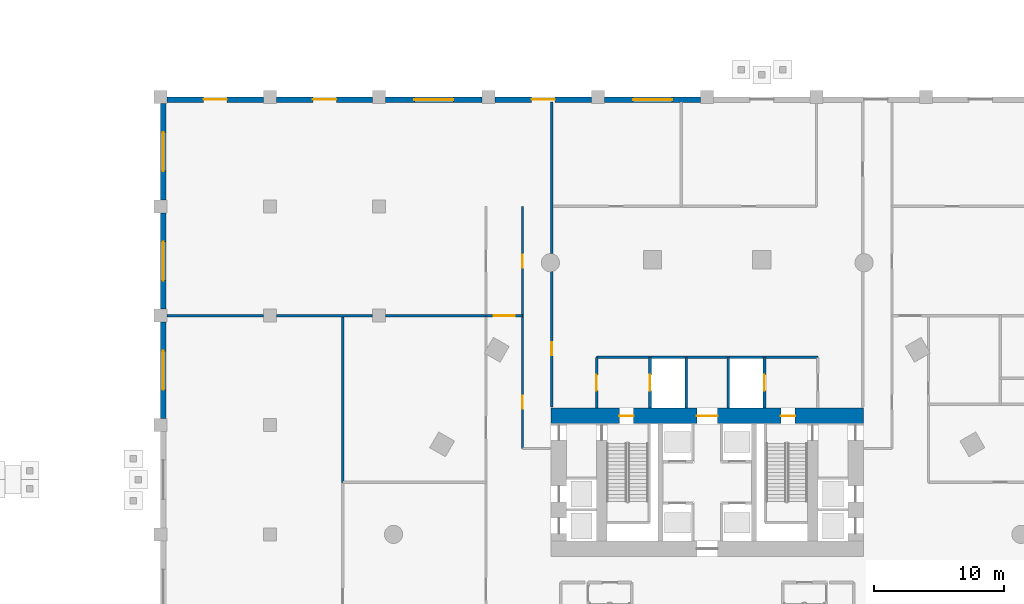
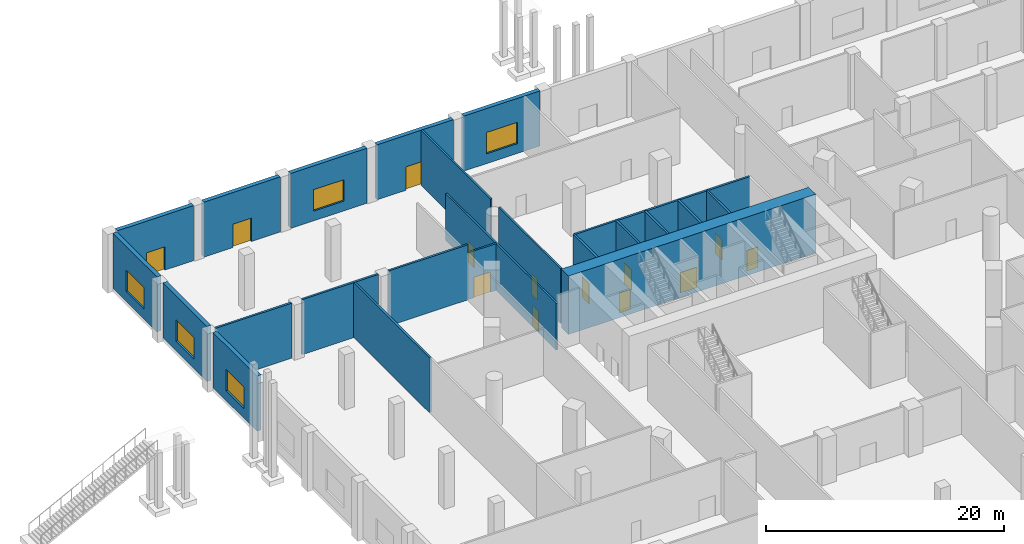
# One storey, part 16 of 25: 23 walls, 13 doors, 5 windows, 18 openings.
"""IFC4 building model written with IfcOpenShell, lengths in metres."""

from ifc_helpers import new_model, si_unit, direction, frame, frame_2d, origin, place, context, subcontext, project, spatial, rectangle, extrude, material, layer, layer_set, type_object, element, fill, save


model = new_model("IFC4")

# Units and contexts
model_context = context("Model", 3, precision=1e-05, world=origin(), true_north=direction((0.0, 1.0)))
body_context = subcontext(model_context, "Body", "Model", "MODEL_VIEW")
ifc_project = project(units=[si_unit("LENGTHUNIT", "METRE"), si_unit("AREAUNIT", "SQUARE_METRE"), si_unit("VOLUMEUNIT", "CUBIC_METRE"), si_unit("PLANEANGLEUNIT", "RADIAN"), si_unit("MASSUNIT", "GRAM", prefix="KILO")], contexts=[model_context])

# Site, building, storey
site_placement = place(None, origin())
site = spatial("IfcSite", under=ifc_project, at=site_placement, CompositionType="ELEMENT")
building_placement = place(site_placement, origin())
building = spatial("IfcBuilding", under=site, at=building_placement, Name="Ostrander Bayou Hotel Tower", CompositionType="ELEMENT")
storey_placement = place(building_placement, origin())
storey = spatial("IfcBuildingStorey", under=building, at=storey_placement, Name="L00", CompositionType="ELEMENT", Elevation=0.0)

# Wall, openings, doors
ifc_material_1 = material(Name="Concrete f'c 70 MPa", Category="concrete")
ifc_layer_1 = layer(ifc_material_1, 1.199951171875)
ifc_layer_set_1 = layer_set([ifc_layer_1], Name="CW1 core wall 1200 mm f'c 70 MPa")
wall_type_1 = type_object("IfcWallType", Name="CW1 core wall 1200 mm f'c 70 MPa", PredefinedType="SHEAR", material=ifc_layer_set_1)
wall_1_placement = place(storey_placement, frame((-12.0, 9.10009765625, -0.35009765625), z_axis=(0.0, 0.0, 1.0), x_axis=(1.0, 0.0, 0.0)))
wall_1 = element("IfcWall", 1, at=wall_1_placement, inside=storey, type_object=wall_type_1, Name="CW1 L00 N", PredefinedType="SHEAR", context=body_context, shape_type="SweptSolid", body=[
    extrude(rectangle(XDim=24.0, YDim=1.199951171875, at=frame_2d((12.0, 0.0))), origin(), (0.0, 0.0, 1.0), 6.0),
])
opening_1_placement = place(wall_1_placement, frame((11.199951171875, 0.0, 0.0)))
opening_1 = element("IfcOpeningElement", 2, at=opening_1_placement, cuts=wall_1, Name="Opening T00-006", PredefinedType="OPENING", context=body_context, shape_type="SweptSolid", body=[
    extrude(rectangle(XDim=1.60009765625, YDim=2.10009765625, at=frame_2d((0.800048828125, 1.050048828125))), frame((0.0, 0.60009765625, 0.0), z_axis=(0.0, -1.0, 0.0), x_axis=(1.0, 0.0, 0.0)), (0.0, 0.0, 1.0), 1.199951171875),
])
opening_2_placement = place(wall_1_placement, frame((5.25, 0.0, 0.0)))
opening_2 = element("IfcOpeningElement", 3, at=opening_2_placement, cuts=wall_1, Name="Opening T00-007", PredefinedType="OPENING", context=body_context, shape_type="SweptSolid", body=[
    extrude(rectangle(XDim=1.10009765625, YDim=2.10009765625, at=frame_2d((0.550048828125, 1.050048828125))), frame((0.0, 0.60009765625, 0.0), z_axis=(0.0, -1.0, 0.0), x_axis=(1.0, 0.0, 0.0)), (0.0, 0.0, 1.0), 1.199951171875),
])
opening_3_placement = place(wall_1_placement, frame((17.64990234375, 0.0, 0.0)))
opening_3 = element("IfcOpeningElement", 4, at=opening_3_placement, cuts=wall_1, Name="Opening T00-009", PredefinedType="OPENING", context=body_context, shape_type="SweptSolid", body=[
    extrude(rectangle(XDim=1.10009765625, YDim=2.10009765625, at=frame_2d((0.550048828125, 1.050048828125))), frame((0.0, 0.60009765625, 0.0), z_axis=(0.0, -1.0, 0.0), x_axis=(1.0, 0.0, 0.0)), (0.0, 0.0, 1.0), 1.199951171875),
])
ifc_material_2 = material(Name="Timber door leaf", Category="wood")
door_type_1 = type_object("IfcDoorType", Name="D13 double door 1600 x 2100 mm, 1 hour", OperationType="SINGLE_SWING_LEFT", PredefinedType="DOOR", material=ifc_material_2)
door_1_placement = place(opening_1_placement, origin())
door_1 = element("IfcDoor", 5, at=door_1_placement, inside=storey, type_object=door_type_1, Name="dr:L00:006", OperationType="DOUBLE_DOOR_SINGLE_SWING", OverallHeight=2.10009765625, OverallWidth=1.60009765625, PredefinedType="DOOR", context=body_context, shape_type="SweptSolid", body=[
    extrude(rectangle(XDim=1.60009765625, YDim=2.10009765625, at=frame_2d((0.800048828125, 1.050048828125))), frame((0.0, 0.02490234375, 0.0), z_axis=(0.0, -1.0, 0.0), x_axis=(1.0, 0.0, 0.0)), (0.0, 0.0, 1.0), 0.050048828125),
])
fill(opening_1, door_1)
ifc_material_3 = material(Name="Timber door leaf", Category="wood")
door_type_2 = type_object("IfcDoorType", Name="D5 stair door 1100 x 2100 mm, 90 minute", OperationType="SINGLE_SWING_LEFT", PredefinedType="DOOR", material=ifc_material_3)
door_2_placement = place(opening_2_placement, origin())
door_2 = element("IfcDoor", 6, at=door_2_placement, inside=storey, type_object=door_type_2, Name="dr:L00:007", OperationType="SINGLE_SWING_LEFT", OverallHeight=2.10009765625, OverallWidth=1.10009765625, PredefinedType="DOOR", context=body_context, shape_type="SweptSolid", body=[
    extrude(rectangle(XDim=1.10009765625, YDim=2.10009765625, at=frame_2d((0.550048828125, 1.050048828125))), frame((0.0, 0.02490234375, 0.0), z_axis=(0.0, -1.0, 0.0), x_axis=(1.0, 0.0, 0.0)), (0.0, 0.0, 1.0), 0.050048828125),
])
fill(opening_2, door_2)
door_3_placement = place(opening_3_placement, origin())
door_3 = element("IfcDoor", 7, at=door_3_placement, inside=storey, type_object=door_type_2, Name="dr:L00:009", OperationType="SINGLE_SWING_RIGHT", OverallHeight=2.10009765625, OverallWidth=1.10009765625, PredefinedType="DOOR", context=body_context, shape_type="SweptSolid", body=[
    extrude(rectangle(XDim=1.10009765625, YDim=2.10009765625, at=frame_2d((0.550048828125, 1.050048828125))), frame((0.0, 0.02490234375, 0.0), z_axis=(0.0, -1.0, 0.0), x_axis=(1.0, 0.0, 0.0)), (0.0, 0.0, 1.0), 0.050048828125),
])
fill(opening_3, door_3)

# Walls
ifc_material_4 = material(Name="Gypsum board partition", Category="finish")
ifc_layer_2 = layer(ifc_material_4, 0.199951171875)
ifc_layer_set_2 = layer_set([ifc_layer_2], Name="PT3 demising wall 200 mm acoustic double stud, 1 hour")
wall_type_2 = type_object("IfcWallType", Name="PT3 demising wall 200 mm acoustic double stud, 1 hour", PredefinedType="PARTITIONING", material=ifc_layer_set_2)
wall_2_placement = place(storey_placement, frame((-41.5, 16.800048828125, 0.0), z_axis=(0.0, 0.0, 1.0), x_axis=(1.0, 0.0, 0.0)))
element("IfcWall", 8, at=wall_2_placement, inside=storey, type_object=wall_type_2, Name="sw:L00:041", PredefinedType="PARTITIONING", context=body_context, shape_type="SweptSolid", body=[
    extrude(rectangle(XDim=7.39990234375, YDim=0.199951171875, at=frame_2d((3.699951171875, 0.0))), origin(), (0.0, 0.0, 1.0), 5.64990234375),
])
wall_3_placement = place(storey_placement, frame((-33.10009765625, 16.800048828125, 0.0), z_axis=(0.0, 0.0, 1.0), x_axis=(1.0, 0.0, 0.0)))
element("IfcWall", 9, at=wall_3_placement, inside=storey, type_object=wall_type_2, Name="sw:L00:042", PredefinedType="PARTITIONING", context=body_context, shape_type="SweptSolid", body=[
    extrude(rectangle(XDim=7.400146484375, YDim=0.199951171875, at=frame_2d((3.7001953125, 0.0))), origin(), (0.0, 0.0, 1.0), 5.64990234375),
])
wall_4_placement = place(storey_placement, frame((-24.699951171875, 16.800048828125, 0.0), z_axis=(0.0, 0.0, 1.0), x_axis=(1.0, 0.0, 0.0)))
element("IfcWall", 10, at=wall_4_placement, inside=storey, type_object=wall_type_2, Name="sw:L00:043", PredefinedType="PARTITIONING", context=body_context, shape_type="SweptSolid", body=[
    extrude(rectangle(XDim=7.699951171875, YDim=0.199951171875, at=frame_2d((3.85009765625, 0.0))), origin(), (0.0, 0.0, 1.0), 5.64990234375),
])
wall_5_placement = place(storey_placement, frame((-28.0, 4.0, 0.0), z_axis=(0.0, 0.0, 1.0), x_axis=(0.0, 1.0, 0.0)))
element("IfcWall", 11, at=wall_5_placement, inside=storey, type_object=wall_type_2, Name="sw:L00:045", PredefinedType="PARTITIONING", context=body_context, shape_type="SweptSolid", body=[
    extrude(rectangle(XDim=12.800048828125, YDim=0.199951171875, at=frame_2d((6.39990234375, 0.0))), origin(), (0.0, 0.0, 1.0), 5.64990234375),
])

# Wall, opening, door
ifc_material_5 = material(Name="Gypsum board partition", Category="finish")
ifc_layer_3 = layer(ifc_material_5, 0.175048828125)
ifc_layer_set_3 = layer_set([ifc_layer_3], Name="PT4 corridor wall 175 mm, 1 hour")
wall_type_3 = type_object("IfcWallType", Name="PT4 corridor wall 175 mm, 1 hour", PredefinedType="PARTITIONING", material=ifc_layer_set_3)
wall_6_placement = place(storey_placement, frame((-17.0, 16.800048828125, 0.0), z_axis=(0.0, 0.0, 1.0), x_axis=(1.0, 0.0, 0.0)))
wall_6 = element("IfcWall", 12, at=wall_6_placement, inside=storey, type_object=wall_type_3, Name="sw:L00:014", PredefinedType="PARTITIONING", context=body_context, shape_type="SweptSolid", body=[
    extrude(rectangle(XDim=2.800048828125, YDim=0.175048828125, at=frame_2d((1.39990234375, 0.0))), origin(), (0.0, 0.0, 1.0), 4.800048828125),
])
opening_4_placement = place(wall_6_placement, frame((0.60009765625, 0.0, 0.0)))
opening_4 = element("IfcOpeningElement", 13, at=opening_4_placement, cuts=wall_6, Name="Opening T00-204", PredefinedType="OPENING", context=body_context, shape_type="SweptSolid", body=[
    extrude(rectangle(XDim=1.60009765625, YDim=2.10009765625, at=frame_2d((0.800048828125, 1.050048828125))), frame((0.0, 0.08740234375, 0.0), z_axis=(0.0, -1.0, 0.0), x_axis=(1.0, 0.0, 0.0)), (0.0, 0.0, 1.0), 0.175048828125),
])
door_4_placement = place(opening_4_placement, origin())
door_4 = element("IfcDoor", 14, at=door_4_placement, inside=storey, type_object=door_type_1, Name="dr:L00:204", OperationType="DOUBLE_DOOR_SINGLE_SWING", OverallHeight=2.10009765625, OverallWidth=1.60009765625, PredefinedType="DOOR", context=body_context, shape_type="SweptSolid", body=[
    extrude(rectangle(XDim=1.60009765625, YDim=2.10009765625, at=frame_2d((0.800048828125, 1.050048828125))), frame((0.0, 0.02490234375, 0.0), z_axis=(0.0, -1.0, 0.0), x_axis=(1.0, 0.0, 0.0)), (0.0, 0.0, 1.0), 0.050048828125),
])
fill(opening_4, door_4)

# Wall, openings, doors
wall_7_placement = place(storey_placement, frame((-14.199951171875, 6.60009765625, 0.0), z_axis=(0.0, 0.0, 1.0), x_axis=(0.0, 1.0, 0.0)))
wall_7 = element("IfcWall", 15, at=wall_7_placement, inside=storey, type_object=wall_type_3, Name="sw:L00:025", PredefinedType="PARTITIONING", context=body_context, shape_type="SweptSolid", body=[
    extrude(rectangle(XDim=18.599853515625, YDim=0.175048828125, at=frame_2d((9.2998046875, 0.0))), origin(), (0.0, 0.0, 1.0), 4.800048828125),
])
opening_5_placement = place(wall_7_placement, frame((3.052490234375, 0.0, 0.0)))
opening_5 = element("IfcOpeningElement", 16, at=opening_5_placement, cuts=wall_7, Name="Opening T00-206", PredefinedType="OPENING", context=body_context, shape_type="SweptSolid", body=[
    extrude(rectangle(XDim=1.0, YDim=2.10009765625, at=frame_2d((0.5, 1.050048828125))), frame((0.0, 0.08740234375, 0.0), z_axis=(0.0, -1.0, 0.0), x_axis=(1.0, 0.0, 0.0)), (0.0, 0.0, 1.0), 0.175048828125),
])
opening_6_placement = place(wall_7_placement, frame((13.89990234375, 0.0, 0.0)))
opening_6 = element("IfcOpeningElement", 17, at=opening_6_placement, cuts=wall_7, Name="Opening T00-208", PredefinedType="OPENING", context=body_context, shape_type="SweptSolid", body=[
    extrude(rectangle(XDim=1.0, YDim=2.10009765625, at=frame_2d((0.5, 1.050048828125))), frame((0.0, 0.08740234375, 0.0), z_axis=(0.0, -1.0, 0.0), x_axis=(1.0, 0.0, 0.0)), (0.0, 0.0, 1.0), 0.175048828125),
])
ifc_material_6 = material(Name="Timber door leaf", Category="wood")
door_type_3 = type_object("IfcDoorType", Name="D4 corridor door 1000 x 2100 mm, 1 hour", OperationType="SINGLE_SWING_LEFT", PredefinedType="DOOR", material=ifc_material_6)
door_5_placement = place(opening_5_placement, origin())
door_5 = element("IfcDoor", 18, at=door_5_placement, inside=storey, type_object=door_type_3, Name="dr:L00:206", OperationType="SINGLE_SWING_RIGHT", OverallHeight=2.10009765625, OverallWidth=1.0, PredefinedType="DOOR", context=body_context, shape_type="SweptSolid", body=[
    extrude(rectangle(XDim=1.0, YDim=2.10009765625, at=frame_2d((0.5, 1.050048828125))), frame((0.0, 0.02490234375, 0.0), z_axis=(0.0, -1.0, 0.0), x_axis=(1.0, 0.0, 0.0)), (0.0, 0.0, 1.0), 0.050048828125),
])
fill(opening_5, door_5)
door_6_placement = place(opening_6_placement, origin())
door_6 = element("IfcDoor", 19, at=door_6_placement, inside=storey, type_object=door_type_3, Name="dr:L00:208", OperationType="SINGLE_SWING_RIGHT", OverallHeight=2.10009765625, OverallWidth=1.0, PredefinedType="DOOR", context=body_context, shape_type="SweptSolid", body=[
    extrude(rectangle(XDim=1.0, YDim=2.10009765625, at=frame_2d((0.5, 1.050048828125))), frame((0.0, 0.02490234375, 0.0), z_axis=(0.0, -1.0, 0.0), x_axis=(1.0, 0.0, 0.0)), (0.0, 0.0, 1.0), 0.050048828125),
])
fill(opening_6, door_6)

# Wall, opening, door
wall_8_placement = place(storey_placement, frame((-11.949951171875, 9.780029296875, 0.0), z_axis=(0.0, 0.0, 1.0), x_axis=(0.0, 1.0, 0.0)))
wall_8 = element("IfcWall", 20, at=wall_8_placement, inside=storey, type_object=wall_type_3, Name="sw:L00:026", PredefinedType="PARTITIONING", context=body_context, shape_type="SweptSolid", body=[
    extrude(rectangle(XDim=10.402099609375, YDim=0.175048828125, at=frame_2d((5.201171875, 0.0))), origin(), (0.0, 0.0, 1.0), 5.64990234375),
])
opening_7_placement = place(wall_8_placement, frame((3.97412109375, 0.0, 0.0)))
opening_7 = element("IfcOpeningElement", 21, at=opening_7_placement, cuts=wall_8, Name="Opening T00-207", PredefinedType="OPENING", context=body_context, shape_type="SweptSolid", body=[
    extrude(rectangle(XDim=1.0, YDim=2.10009765625, at=frame_2d((0.5, 1.050048828125))), frame((0.0, 0.08740234375, 0.0), z_axis=(0.0, -1.0, 0.0), x_axis=(1.0, 0.0, 0.0)), (0.0, 0.0, 1.0), 0.175048828125),
])
door_7_placement = place(opening_7_placement, origin())
door_7 = element("IfcDoor", 22, at=door_7_placement, inside=storey, type_object=door_type_3, Name="dr:L00:207", OperationType="SINGLE_SWING_LEFT", OverallHeight=2.10009765625, OverallWidth=1.0, PredefinedType="DOOR", context=body_context, shape_type="SweptSolid", body=[
    extrude(rectangle(XDim=1.0, YDim=2.10009765625, at=frame_2d((0.5, 1.050048828125))), frame((0.0, 0.02490234375, 0.0), z_axis=(0.0, -1.0, 0.0), x_axis=(1.0, 0.0, 0.0)), (0.0, 0.0, 1.0), 0.050048828125),
])
fill(opening_7, door_7)

# Walls
wall_9_placement = place(storey_placement, frame((-11.949951171875, 21.562255859375, 0.0), z_axis=(0.0, 0.0, 1.0), x_axis=(0.0, 1.0, 0.0)))
element("IfcWall", 23, at=wall_9_placement, inside=storey, type_object=wall_type_3, Name="sw:L00:027", PredefinedType="PARTITIONING", context=body_context, shape_type="SweptSolid", body=[
    extrude(rectangle(XDim=11.65771484375, YDim=0.175048828125, at=frame_2d((5.828857421875, 0.0))), origin(), (0.0, 0.0, 1.0), 5.64990234375),
])
ifc_material_7 = material(Name="Masonry block", Category="masonry")
ifc_layer_4 = layer(ifc_material_7, 0.199951171875)
ifc_layer_set_4 = layer_set([ifc_layer_4], Name="PT5 stair enclosure wall 200 mm masonry, 2 hour")
wall_type_4 = type_object("IfcWallType", Name="PT5 stair enclosure wall 200 mm masonry, 2 hour", PredefinedType="PARTITIONING", material=ifc_layer_set_4)
wall_10_placement = place(storey_placement, frame((-8.5, 13.60009765625, 0.0), z_axis=(0.0, 0.0, 1.0), x_axis=(1.0, 0.0, 0.0)))
element("IfcWall", 24, at=wall_10_placement, inside=storey, type_object=wall_type_4, Name="cs:L00:021", PredefinedType="PARTITIONING", context=body_context, shape_type="SweptSolid", body=[
    extrude(rectangle(XDim=17.0, YDim=0.199951171875, at=frame_2d((8.5, 0.0))), origin(), (0.0, 0.0, 1.0), 5.64990234375),
])

# Wall, opening, door
wall_11_placement = place(storey_placement, frame((-8.5, 9.699951171875, 0.0), z_axis=(0.0, 0.0, 1.0), x_axis=(0.0, 1.0, 0.0)))
wall_11 = element("IfcWall", 25, at=wall_11_placement, inside=storey, type_object=wall_type_4, Name="cs:L00:022", PredefinedType="PARTITIONING", context=body_context, shape_type="SweptSolid", body=[
    extrude(rectangle(XDim=3.900146484375, YDim=0.199951171875, at=frame_2d((1.9501953125, 0.0))), origin(), (0.0, 0.0, 1.0), 5.64990234375),
])
opening_8_placement = place(wall_11_placement, frame((1.35009765625, 0.0, 0.0)))
opening_8 = element("IfcOpeningElement", 26, at=opening_8_placement, cuts=wall_11, Name="Opening T00-014", PredefinedType="OPENING", context=body_context, shape_type="SweptSolid", body=[
    extrude(rectangle(XDim=1.199951171875, YDim=2.10009765625, at=frame_2d((0.60009765625, 1.050048828125))), frame((0.0, 0.10009765625, 0.0), z_axis=(0.0, -1.0, 0.0), x_axis=(1.0, 0.0, 0.0)), (0.0, 0.0, 1.0), 0.199951171875),
])
ifc_material_8 = material(Name="Timber door leaf", Category="wood")
door_type_4 = type_object("IfcDoorType", Name="D7 lobby door 1200 x 2100 mm, 1 hour", OperationType="SINGLE_SWING_LEFT", PredefinedType="DOOR", material=ifc_material_8)
door_8_placement = place(opening_8_placement, origin())
door_8 = element("IfcDoor", 27, at=door_8_placement, inside=storey, type_object=door_type_4, Name="dr:L00:014", OperationType="SINGLE_SWING_LEFT", OverallHeight=2.10009765625, OverallWidth=1.199951171875, PredefinedType="DOOR", context=body_context, shape_type="SweptSolid", body=[
    extrude(rectangle(XDim=1.199951171875, YDim=2.10009765625, at=frame_2d((0.60009765625, 1.050048828125))), frame((0.0, 0.02490234375, 0.0), z_axis=(0.0, -1.0, 0.0), x_axis=(1.0, 0.0, 0.0)), (0.0, 0.0, 1.0), 0.050048828125),
])
fill(opening_8, door_8)

wall_12_placement = place(storey_placement, frame((-4.39990234375, 9.699951171875, 0.0), z_axis=(0.0, 0.0, 1.0), x_axis=(0.0, 1.0, 0.0)))
wall_12 = element("IfcWall", 28, at=wall_12_placement, inside=storey, type_object=wall_type_4, Name="cs:L00:024", PredefinedType="PARTITIONING", context=body_context, shape_type="SweptSolid", body=[
    extrude(rectangle(XDim=3.900146484375, YDim=0.199951171875, at=frame_2d((1.9501953125, 0.0))), origin(), (0.0, 0.0, 1.0), 5.64990234375),
])
opening_9_placement = place(wall_12_placement, frame((1.35009765625, 0.0, 0.0)))
opening_9 = element("IfcOpeningElement", 29, at=opening_9_placement, cuts=wall_12, Name="Opening T00-013", PredefinedType="OPENING", context=body_context, shape_type="SweptSolid", body=[
    extrude(rectangle(XDim=1.199951171875, YDim=2.10009765625, at=frame_2d((0.60009765625, 1.050048828125))), frame((0.0, 0.10009765625, 0.0), z_axis=(0.0, -1.0, 0.0), x_axis=(1.0, 0.0, 0.0)), (0.0, 0.0, 1.0), 0.199951171875),
])
ifc_material_9 = material(Name="Stainless steel sliding door", Category="steel")
door_type_5 = type_object("IfcDoorType", Name="LD1 lift landing door 1200 x 2100 mm", OperationType="SINGLE_SWING_LEFT", PredefinedType="DOOR", material=ifc_material_9)
door_9_placement = place(opening_9_placement, origin())
door_9 = element("IfcDoor", 30, at=door_9_placement, inside=storey, type_object=door_type_5, Name="dr:L00:013", OperationType="SLIDING_TO_LEFT", OverallHeight=2.10009765625, OverallWidth=1.199951171875, PredefinedType="DOOR", context=body_context, shape_type="SweptSolid", body=[
    extrude(rectangle(XDim=1.199951171875, YDim=2.10009765625, at=frame_2d((0.60009765625, 1.050048828125))), frame((0.0, 0.02490234375, 0.0), z_axis=(0.0, -1.0, 0.0), x_axis=(1.0, 0.0, 0.0)), (0.0, 0.0, 1.0), 0.050048828125),
])
fill(opening_9, door_9)

wall_13_placement = place(storey_placement, frame((4.39990234375, 9.699951171875, 0.0), z_axis=(0.0, 0.0, 1.0), x_axis=(0.0, 1.0, 0.0)))
wall_13 = element("IfcWall", 31, at=wall_13_placement, inside=storey, type_object=wall_type_4, Name="cs:L00:025", PredefinedType="PARTITIONING", context=body_context, shape_type="SweptSolid", body=[
    extrude(rectangle(XDim=3.900146484375, YDim=0.199951171875, at=frame_2d((1.9501953125, 0.0))), origin(), (0.0, 0.0, 1.0), 5.64990234375),
])
opening_10_placement = place(wall_13_placement, frame((1.35009765625, 0.0, 0.0)))
opening_10 = element("IfcOpeningElement", 32, at=opening_10_placement, cuts=wall_13, Name="Opening T00-015", PredefinedType="OPENING", context=body_context, shape_type="SweptSolid", body=[
    extrude(rectangle(XDim=1.199951171875, YDim=2.10009765625, at=frame_2d((0.60009765625, 1.050048828125))), frame((0.0, 0.10009765625, 0.0), z_axis=(0.0, -1.0, 0.0), x_axis=(1.0, 0.0, 0.0)), (0.0, 0.0, 1.0), 0.199951171875),
])
door_10_placement = place(opening_10_placement, origin())
door_10 = element("IfcDoor", 33, at=door_10_placement, inside=storey, type_object=door_type_5, Name="dr:L00:015", OperationType="SLIDING_TO_LEFT", OverallHeight=2.10009765625, OverallWidth=1.199951171875, PredefinedType="DOOR", context=body_context, shape_type="SweptSolid", body=[
    extrude(rectangle(XDim=1.199951171875, YDim=2.10009765625, at=frame_2d((0.60009765625, 1.050048828125))), frame((0.0, 0.02490234375, 0.0), z_axis=(0.0, -1.0, 0.0), x_axis=(1.0, 0.0, 0.0)), (0.0, 0.0, 1.0), 0.050048828125),
])
fill(opening_10, door_10)

# Walls
ifc_material_10 = material(Name="Masonry block", Category="masonry")
ifc_layer_5 = layer(ifc_material_10, 0.199951171875)
ifc_layer_set_5 = layer_set([ifc_layer_5], Name="PT6 lift shaft wall 200 mm masonry, 2 hour")
wall_type_5 = type_object("IfcWallType", Name="PT6 lift shaft wall 200 mm masonry, 2 hour", PredefinedType="PARTITIONING", material=ifc_layer_set_5)
for number, where, z_axis, x_axis, name in (
    (34, (-1.60009765625, 9.699951171875, 0.0), (0.0, 0.0, 1.0), (0.0, 1.0, 0.0), "cs:L00:026"),
    (35, (1.60009765625, 9.699951171875, 0.0), (0.0, 0.0, 1.0), (0.0, 1.0, 0.0), "cs:L00:027"),
):
    element("IfcWall", number, at=place(storey_placement, frame(where, z_axis=z_axis, x_axis=x_axis)), inside=storey, type_object=wall_type_5, Name=name, PredefinedType="PARTITIONING", context=body_context, shape_type="SweptSolid", body=[
        extrude(rectangle(XDim=3.900146484375, YDim=0.199951171875, at=frame_2d((1.9501953125, 0.0))), origin(), (0.0, 0.0, 1.0), 5.64990234375),
    ])

# Wall, opening, door
ifc_material_11 = material(Name="Reconstituted stone on masonry backing", Category="masonry")
ifc_layer_6 = layer(ifc_material_11, 0.39990234375)
ifc_layer_set_6 = layer_set([ifc_layer_6], Name="PW1 stone cladding wall 400 mm")
wall_type_6 = type_object("IfcWallType", Name="PW1 stone cladding wall 400 mm", PredefinedType="SOLIDWALL", material=ifc_layer_set_6)
wall_14_placement = place(storey_placement, frame((-41.5, 33.39990234375, 0.0), z_axis=(0.0, 0.0, 1.0), x_axis=(1.0, 0.0, 0.0)))
wall_14 = element("IfcWall", 36, at=wall_14_placement, inside=storey, type_object=wall_type_6, Name="pw:L00:19", PredefinedType="SOLIDWALL", context=body_context, shape_type="SweptSolid", body=[
    extrude(rectangle(XDim=7.39990234375, YDim=0.39990234375, at=frame_2d((3.699951171875, 0.0))), origin(), (0.0, 0.0, 1.0), 5.64990234375),
])
opening_11_placement = place(wall_14_placement, frame((2.800048828125, 0.0, 0.0)))
opening_11 = element("IfcOpeningElement", 37, at=opening_11_placement, cuts=wall_14, Name="Opening SD1", PredefinedType="OPENING", context=body_context, shape_type="SweptSolid", body=[
    extrude(rectangle(XDim=1.800048828125, YDim=2.39990234375, at=frame_2d((0.89990234375, 1.199951171875))), frame((0.0, 0.199951171875, 0.0), z_axis=(0.0, -1.0, 0.0), x_axis=(1.0, 0.0, 0.0)), (0.0, 0.0, 1.0), 0.39990234375),
])
ifc_material_12 = material(Name="Insulated steel", Category="steel")
door_type_6 = type_object("IfcDoorType", Name="SV1 service door 1800 mm", OperationType="DOUBLE_DOOR_SINGLE_SWING", PredefinedType="DOOR", material=ifc_material_12)
door_11_placement = place(opening_11_placement, origin())
door_11 = element("IfcDoor", 38, at=door_11_placement, inside=storey, type_object=door_type_6, Name="SV1 SD1", OperationType="SINGLE_SWING_LEFT", OverallHeight=2.39990234375, OverallWidth=1.800048828125, PredefinedType="DOOR", context=body_context, shape_type="SweptSolid", body=[
    extrude(rectangle(XDim=1.800048828125, YDim=2.39990234375, at=frame_2d((0.89990234375, 1.199951171875))), frame((0.0, 0.02490234375, 0.0), z_axis=(0.0, -1.0, 0.0), x_axis=(1.0, 0.0, 0.0)), (0.0, 0.0, 1.0), 0.050048828125),
])
fill(opening_11, door_11)

wall_15_placement = place(storey_placement, frame((-33.10009765625, 33.39990234375, 0.0), z_axis=(0.0, 0.0, 1.0), x_axis=(1.0, 0.0, 0.0)))
wall_15 = element("IfcWall", 39, at=wall_15_placement, inside=storey, type_object=wall_type_6, Name="pw:L00:20", PredefinedType="SOLIDWALL", context=body_context, shape_type="SweptSolid", body=[
    extrude(rectangle(XDim=7.400146484375, YDim=0.39990234375, at=frame_2d((3.7001953125, 0.0))), origin(), (0.0, 0.0, 1.0), 5.64990234375),
])
opening_12_placement = place(wall_15_placement, frame((2.800048828125, 0.0, 0.0)))
opening_12 = element("IfcOpeningElement", 40, at=opening_12_placement, cuts=wall_15, Name="Opening E11", PredefinedType="OPENING", context=body_context, shape_type="SweptSolid", body=[
    extrude(rectangle(XDim=1.800048828125, YDim=2.39990234375, at=frame_2d((0.89990234375, 1.199951171875))), frame((0.0, 0.199951171875, 0.0), z_axis=(0.0, -1.0, 0.0), x_axis=(1.0, 0.0, 0.0)), (0.0, 0.0, 1.0), 0.39990234375),
])
ifc_material_13 = material(Name="Aluminium and clear glass", Category="aluminium")
door_type_7 = type_object("IfcDoorType", Name="ED1 entrance door 1800 mm", OperationType="DOUBLE_DOOR_SINGLE_SWING", PredefinedType="DOOR", material=ifc_material_13)
door_12_placement = place(opening_12_placement, origin())
door_12 = element("IfcDoor", 41, at=door_12_placement, inside=storey, type_object=door_type_7, Name="ED1 E11", OperationType="SINGLE_SWING_LEFT", OverallHeight=2.39990234375, OverallWidth=1.800048828125, PredefinedType="DOOR", context=body_context, shape_type="SweptSolid", body=[
    extrude(rectangle(XDim=1.800048828125, YDim=2.39990234375, at=frame_2d((0.89990234375, 1.199951171875))), frame((0.0, 0.02490234375, 0.0), z_axis=(0.0, -1.0, 0.0), x_axis=(1.0, 0.0, 0.0)), (0.0, 0.0, 1.0), 0.050048828125),
])
fill(opening_12, door_12)

# Wall, opening, window
wall_16_placement = place(storey_placement, frame((-24.699951171875, 33.39990234375, 0.0), z_axis=(0.0, 0.0, 1.0), x_axis=(1.0, 0.0, 0.0)))
wall_16 = element("IfcWall", 42, at=wall_16_placement, inside=storey, type_object=wall_type_6, Name="pw:L00:21", PredefinedType="SOLIDWALL", context=body_context, shape_type="SweptSolid", body=[
    extrude(rectangle(XDim=7.39990234375, YDim=0.39990234375, at=frame_2d((3.699951171875, 0.0))), origin(), (0.0, 0.0, 1.0), 5.64990234375),
])
opening_13_placement = place(wall_16_placement, frame((2.199951171875, 0.0, 1.0)))
opening_13 = element("IfcOpeningElement", 43, at=opening_13_placement, cuts=wall_16, Name="Opening W6", PredefinedType="OPENING", context=body_context, shape_type="SweptSolid", body=[
    extrude(rectangle(XDim=3.0, YDim=2.199951171875, at=frame_2d((1.5, 1.10009765625))), frame((0.0, 0.199951171875, 0.0), z_axis=(0.0, -1.0, 0.0), x_axis=(1.0, 0.0, 0.0)), (0.0, 0.0, 1.0), 0.39990234375),
])
ifc_material_14 = material(Name="Aluminium and clear glass", Category="aluminium")
window_type = type_object("IfcWindowType", Name="W6 podium window 3000 mm", PartitioningType="SINGLE_PANEL", PredefinedType="WINDOW", material=ifc_material_14)
window_1_placement = place(opening_13_placement, origin())
window_1 = element("IfcWindow", 44, at=window_1_placement, inside=storey, type_object=window_type, Name="W6 L00 21", OverallHeight=2.199951171875, OverallWidth=3.0, PartitioningType="SINGLE_PANEL", PredefinedType="WINDOW", context=body_context, shape_type="SweptSolid", body=[
    extrude(rectangle(XDim=3.0, YDim=2.199951171875, at=frame_2d((1.5, 1.10009765625))), frame((0.0, 0.030029296875, 0.0), z_axis=(0.0, -1.0, 0.0), x_axis=(1.0, 0.0, 0.0)), (0.0, 0.0, 1.0), 0.06005859375),
])
fill(opening_13, window_1)

# Wall, opening, door
wall_17_placement = place(storey_placement, frame((-16.300048828125, 33.39990234375, 0.0), z_axis=(0.0, 0.0, 1.0), x_axis=(1.0, 0.0, 0.0)))
wall_17 = element("IfcWall", 45, at=wall_17_placement, inside=storey, type_object=wall_type_6, Name="pw:L00:22", PredefinedType="SOLIDWALL", context=body_context, shape_type="SweptSolid", body=[
    extrude(rectangle(XDim=7.400146484375, YDim=0.39990234375, at=frame_2d((3.7001953125, 0.0))), origin(), (0.0, 0.0, 1.0), 5.64990234375),
])
opening_14_placement = place(wall_17_placement, frame((2.800048828125, 0.0, 0.0)))
opening_14 = element("IfcOpeningElement", 46, at=opening_14_placement, cuts=wall_17, Name="Opening E12", PredefinedType="OPENING", context=body_context, shape_type="SweptSolid", body=[
    extrude(rectangle(XDim=1.800048828125, YDim=2.39990234375, at=frame_2d((0.89990234375, 1.199951171875))), frame((0.0, 0.199951171875, 0.0), z_axis=(0.0, -1.0, 0.0), x_axis=(1.0, 0.0, 0.0)), (0.0, 0.0, 1.0), 0.39990234375),
])
door_13_placement = place(opening_14_placement, origin())
door_13 = element("IfcDoor", 47, at=door_13_placement, inside=storey, type_object=door_type_7, Name="ED1 E12", OperationType="SINGLE_SWING_LEFT", OverallHeight=2.39990234375, OverallWidth=1.800048828125, PredefinedType="DOOR", context=body_context, shape_type="SweptSolid", body=[
    extrude(rectangle(XDim=1.800048828125, YDim=2.39990234375, at=frame_2d((0.89990234375, 1.199951171875))), frame((0.0, 0.02490234375, 0.0), z_axis=(0.0, -1.0, 0.0), x_axis=(1.0, 0.0, 0.0)), (0.0, 0.0, 1.0), 0.050048828125),
])
fill(opening_14, door_13)

# Wall, opening, window
wall_18_placement = place(storey_placement, frame((-7.89990234375, 33.39990234375, 0.0), z_axis=(0.0, 0.0, 1.0), x_axis=(1.0, 0.0, 0.0)))
wall_18 = element("IfcWall", 48, at=wall_18_placement, inside=storey, type_object=wall_type_6, Name="pw:L00:23", PredefinedType="SOLIDWALL", context=body_context, shape_type="SweptSolid", body=[
    extrude(rectangle(XDim=7.39990234375, YDim=0.39990234375, at=frame_2d((3.699951171875, 0.0))), origin(), (0.0, 0.0, 1.0), 5.64990234375),
])
opening_15_placement = place(wall_18_placement, frame((2.199951171875, 0.0, 1.0)))
opening_15 = element("IfcOpeningElement", 49, at=opening_15_placement, cuts=wall_18, Name="Opening W6", PredefinedType="OPENING", context=body_context, shape_type="SweptSolid", body=[
    extrude(rectangle(XDim=3.0, YDim=2.199951171875, at=frame_2d((1.5, 1.10009765625))), frame((0.0, 0.199951171875, 0.0), z_axis=(0.0, -1.0, 0.0), x_axis=(1.0, 0.0, 0.0)), (0.0, 0.0, 1.0), 0.39990234375),
])
window_2_placement = place(opening_15_placement, origin())
window_2 = element("IfcWindow", 50, at=window_2_placement, inside=storey, type_object=window_type, Name="W6 L00 23", OverallHeight=2.199951171875, OverallWidth=3.0, PartitioningType="SINGLE_PANEL", PredefinedType="WINDOW", context=body_context, shape_type="SweptSolid", body=[
    extrude(rectangle(XDim=3.0, YDim=2.199951171875, at=frame_2d((1.5, 1.10009765625))), frame((0.0, 0.030029296875, 0.0), z_axis=(0.0, -1.0, 0.0), x_axis=(1.0, 0.0, 0.0)), (0.0, 0.0, 1.0), 0.06005859375),
])
fill(opening_15, window_2)

wall_19_placement = place(storey_placement, frame((-41.800048828125, 8.89990234375, 0.0), z_axis=(0.0, 0.0, 1.0), x_axis=(0.0, 1.0, 0.0)))
wall_19 = element("IfcWall", 51, at=wall_19_placement, inside=storey, type_object=wall_type_6, Name="pw:L00:36", PredefinedType="SOLIDWALL", context=body_context, shape_type="SweptSolid", body=[
    extrude(rectangle(XDim=7.400146484375, YDim=0.39990234375, at=frame_2d((3.7001953125, 0.0))), origin(), (0.0, 0.0, 1.0), 5.64990234375),
])
opening_16_placement = place(wall_19_placement, frame((2.199951171875, 0.0, 1.0)))
opening_16 = element("IfcOpeningElement", 52, at=opening_16_placement, cuts=wall_19, Name="Opening W6", PredefinedType="OPENING", context=body_context, shape_type="SweptSolid", body=[
    extrude(rectangle(XDim=3.0, YDim=2.199951171875, at=frame_2d((1.5, 1.10009765625))), frame((0.0, 0.199951171875, 0.0), z_axis=(0.0, -1.0, 0.0), x_axis=(1.0, 0.0, 0.0)), (0.0, 0.0, 1.0), 0.39990234375),
])
window_3_placement = place(opening_16_placement, origin())
window_3 = element("IfcWindow", 53, at=window_3_placement, inside=storey, type_object=window_type, Name="W6 L00 36", OverallHeight=2.199951171875, OverallWidth=3.0, PartitioningType="SINGLE_PANEL", PredefinedType="WINDOW", context=body_context, shape_type="SweptSolid", body=[
    extrude(rectangle(XDim=3.0, YDim=2.199951171875, at=frame_2d((1.5, 1.10009765625))), frame((0.0, 0.030029296875, 0.0), z_axis=(0.0, -1.0, 0.0), x_axis=(1.0, 0.0, 0.0)), (0.0, 0.0, 1.0), 0.06005859375),
])
fill(opening_16, window_3)

wall_20_placement = place(storey_placement, frame((-41.800048828125, 17.300048828125, 0.0), z_axis=(0.0, 0.0, 1.0), x_axis=(0.0, 1.0, 0.0)))
wall_20 = element("IfcWall", 54, at=wall_20_placement, inside=storey, type_object=wall_type_6, Name="pw:L00:37", PredefinedType="SOLIDWALL", context=body_context, shape_type="SweptSolid", body=[
    extrude(rectangle(XDim=7.39990234375, YDim=0.39990234375, at=frame_2d((3.699951171875, 0.0))), origin(), (0.0, 0.0, 1.0), 5.64990234375),
])
opening_17_placement = place(wall_20_placement, frame((2.199951171875, 0.0, 1.0)))
opening_17 = element("IfcOpeningElement", 55, at=opening_17_placement, cuts=wall_20, Name="Opening W6", PredefinedType="OPENING", context=body_context, shape_type="SweptSolid", body=[
    extrude(rectangle(XDim=3.0, YDim=2.199951171875, at=frame_2d((1.5, 1.10009765625))), frame((0.0, 0.199951171875, 0.0), z_axis=(0.0, -1.0, 0.0), x_axis=(1.0, 0.0, 0.0)), (0.0, 0.0, 1.0), 0.39990234375),
])
window_4_placement = place(opening_17_placement, origin())
window_4 = element("IfcWindow", 56, at=window_4_placement, inside=storey, type_object=window_type, Name="W6 L00 37", OverallHeight=2.199951171875, OverallWidth=3.0, PartitioningType="SINGLE_PANEL", PredefinedType="WINDOW", context=body_context, shape_type="SweptSolid", body=[
    extrude(rectangle(XDim=3.0, YDim=2.199951171875, at=frame_2d((1.5, 1.10009765625))), frame((0.0, 0.030029296875, 0.0), z_axis=(0.0, -1.0, 0.0), x_axis=(1.0, 0.0, 0.0)), (0.0, 0.0, 1.0), 0.06005859375),
])
fill(opening_17, window_4)

wall_21_placement = place(storey_placement, frame((-41.800048828125, 25.699951171875, 0.0), z_axis=(0.0, 0.0, 1.0), x_axis=(0.0, 1.0, 0.0)))
wall_21 = element("IfcWall", 57, at=wall_21_placement, inside=storey, type_object=wall_type_6, Name="pw:L00:38", PredefinedType="SOLIDWALL", context=body_context, shape_type="SweptSolid", body=[
    extrude(rectangle(XDim=7.400146484375, YDim=0.39990234375, at=frame_2d((3.7001953125, 0.0))), origin(), (0.0, 0.0, 1.0), 5.64990234375),
])
opening_18_placement = place(wall_21_placement, frame((2.199951171875, 0.0, 1.0)))
opening_18 = element("IfcOpeningElement", 58, at=opening_18_placement, cuts=wall_21, Name="Opening W6", PredefinedType="OPENING", context=body_context, shape_type="SweptSolid", body=[
    extrude(rectangle(XDim=3.0, YDim=2.199951171875, at=frame_2d((1.5, 1.10009765625))), frame((0.0, 0.199951171875, 0.0), z_axis=(0.0, -1.0, 0.0), x_axis=(1.0, 0.0, 0.0)), (0.0, 0.0, 1.0), 0.39990234375),
])
window_5_placement = place(opening_18_placement, origin())
window_5 = element("IfcWindow", 59, at=window_5_placement, inside=storey, type_object=window_type, Name="W6 L00 38", OverallHeight=2.199951171875, OverallWidth=3.0, PartitioningType="SINGLE_PANEL", PredefinedType="WINDOW", context=body_context, shape_type="SweptSolid", body=[
    extrude(rectangle(XDim=3.0, YDim=2.199951171875, at=frame_2d((1.5, 1.10009765625))), frame((0.0, 0.030029296875, 0.0), z_axis=(0.0, -1.0, 0.0), x_axis=(1.0, 0.0, 0.0)), (0.0, 0.0, 1.0), 0.06005859375),
])
fill(opening_18, window_5)

save(model, "model.ifc")
